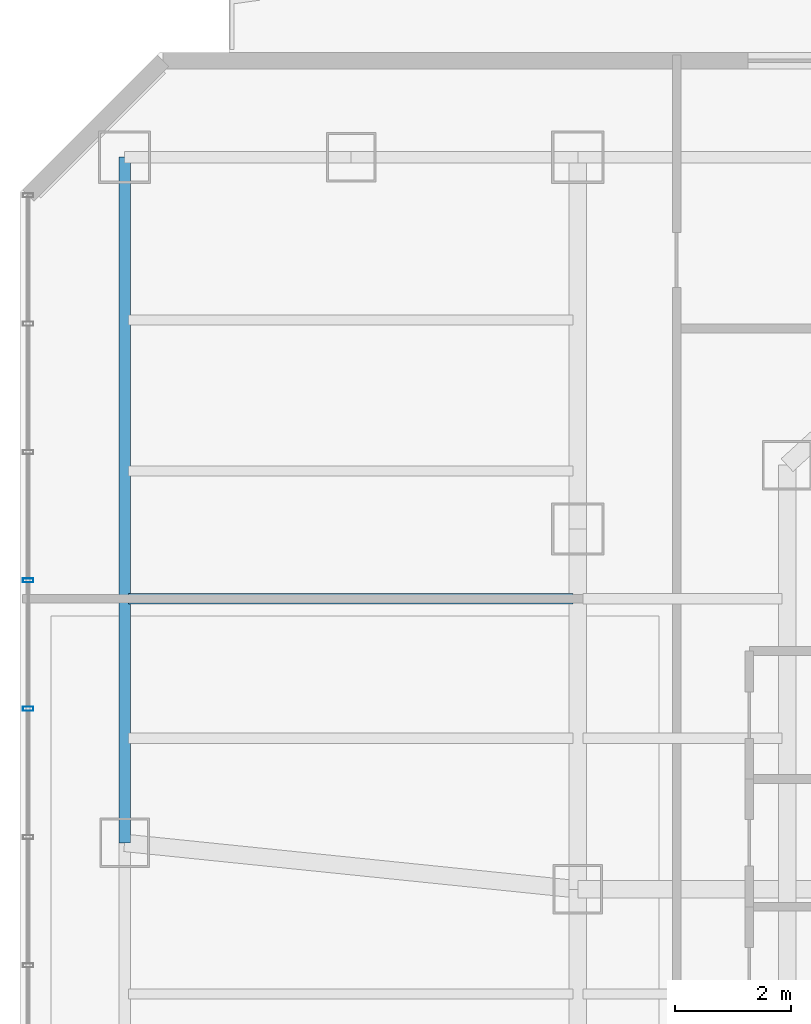
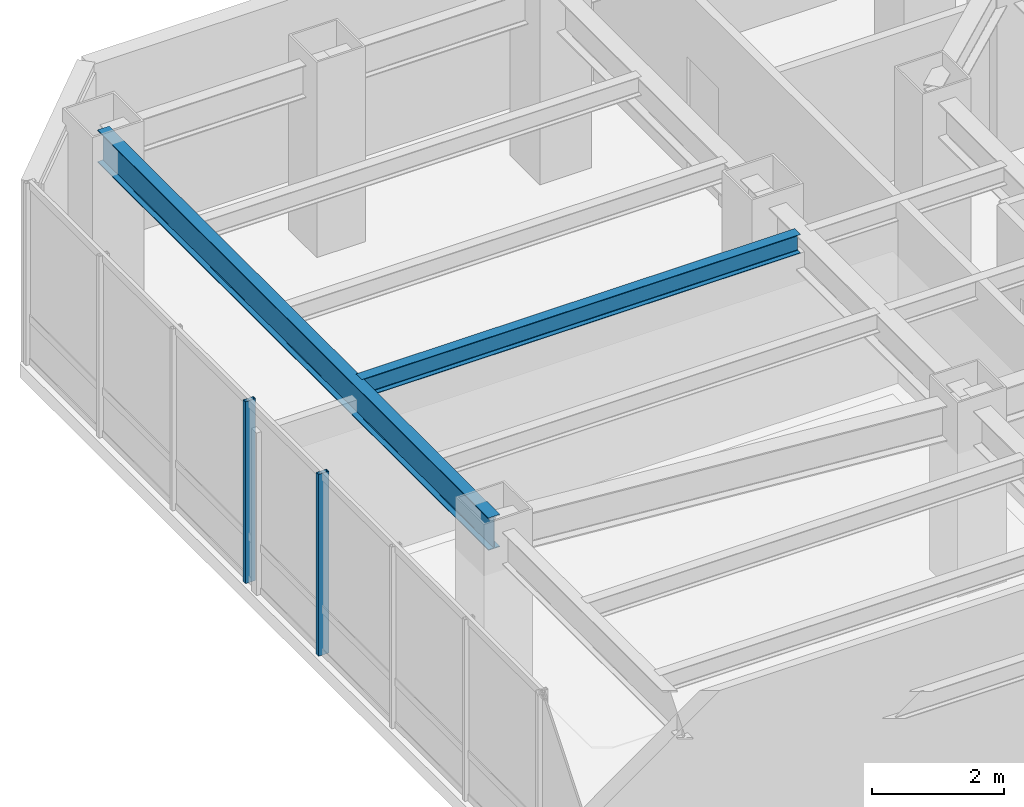
# One storey, part 15 of 29: 2 beams, 2 members, 1 element without a shape of its own.
"""IFC4 building model written with IfcOpenShell, lengths in metres."""

import ifcopenshell
import ifcopenshell.guid

model = None  # the IFC model being written
_history = None  # IfcOwnerHistory: only IFC2X3 demands one
_inside = {}  # id of a spatial element -> (the spatial element, [elements in it])
_under = {}  # id of a project, library or spatial element -> (it, [spatial elements below it])
_declared = {}  # id of a project -> (the project, [libraries it declares])
_typed = {}  # id of a type object -> (the type object, [elements of that type])
_made_of = {}  # id of a material, layer set ... -> (it, [elements and type objects made of it])


def new_model(schema):
    """Start an empty IFC model of exactly this schema.

    Asked for "IFC4X3", IfcOpenShell would pick the latest addendum, in which some entities
    have other attributes; the version numbers below select the first issue.
    IFC2X3 requires an IfcOwnerHistory on every rooted entity: one is made here for all.
    """
    global model, _history
    if schema == "IFC4X3":
        model = ifcopenshell.file(schema_version=(4, 3, 0, 0))
    else:
        model = ifcopenshell.file(schema=schema)
    _inside.clear()
    _under.clear()
    _declared.clear()
    _typed.clear()
    _made_of.clear()
    _history = None
    if model.schema == "IFC2X3":
        org = make("IfcOrganization", Name="unknown")
        user = make(
            "IfcPersonAndOrganization",
            ThePerson=make("IfcPerson", FamilyName="unknown"),
            TheOrganization=org,
        )
        app = make(
            "IfcApplication",
            ApplicationDeveloper=org,
            Version="unknown",
            ApplicationFullName="unknown",
            ApplicationIdentifier="unknown",
        )
        _history = make(
            "IfcOwnerHistory",
            OwningUser=user,
            OwningApplication=app,
            ChangeAction="ADDED",
            CreationDate=0,
        )
    return model


def make(cls, **values):
    """One entity of the class cls with the attributes given. An attribute that is None is left unset."""
    return model.create_entity(
        cls, **{name: value for name, value in values.items() if value is not None}
    )


def rooted(cls, **values):
    """An entity with a GlobalId (a new one), such as an element, a storey or a relation."""
    return make(cls, GlobalId=ifcopenshell.guid.new(), OwnerHistory=_history, **values)


def si_unit(unit_type, name, prefix=None):
    """IfcSIUnit, for example si_unit("LENGTHUNIT", "METRE", prefix="MILLI")."""
    return make("IfcSIUnit", UnitType=unit_type, Prefix=prefix, Name=name)


def assignment(units):
    """IfcUnitAssignment: the units of a project."""
    return None if units is None else make("IfcUnitAssignment", Units=units)


def point(xyz):
    """IfcCartesianPoint."""
    return None if xyz is None else make("IfcCartesianPoint", Coordinates=xyz)


def direction(xyz):
    """IfcDirection."""
    return None if xyz is None else make("IfcDirection", DirectionRatios=xyz)


def frame(location, z_axis=None, x_axis=None):
    """IfcAxis2Placement3D, a coordinate frame: its origin and axes. An axis left out is left unset."""
    return make(
        "IfcAxis2Placement3D",
        Location=point(location),
        Axis=direction(z_axis),
        RefDirection=direction(x_axis),
    )


def frame_2d(location, x_axis=None):
    """IfcAxis2Placement2D, a coordinate frame in the plane: its origin and x axis."""
    return make(
        "IfcAxis2Placement2D", Location=point(location), RefDirection=direction(x_axis)
    )


def origin():
    """The frame at (0, 0, 0) with its axes left unset."""
    return frame((0.0, 0.0, 0.0))


def origin_2d():
    """The frame at (0, 0) in the plane with its x axis left unset."""
    return frame_2d((0.0, 0.0))


def place(relative_to, where):
    """IfcLocalPlacement: puts the frame where relative to a parent placement (None: the world)."""
    return make(
        "IfcLocalPlacement", PlacementRelTo=relative_to, RelativePlacement=where
    )


def context(
    kind, dimensions, precision=None, world=None, true_north=None, identifier=None
):
    """IfcGeometricRepresentationContext, for example the 3D "Model" context."""
    return make(
        "IfcGeometricRepresentationContext",
        ContextIdentifier=identifier,
        ContextType=kind,
        CoordinateSpaceDimension=dimensions,
        Precision=precision,
        WorldCoordinateSystem=world,
        TrueNorth=true_north,
    )


def subcontext(parent, identifier, kind, view, scale=None):
    """IfcGeometricRepresentationSubContext, for example "Body" below "Model"."""
    return make(
        "IfcGeometricRepresentationSubContext",
        ContextIdentifier=identifier,
        ContextType=kind,
        ParentContext=parent,
        TargetScale=scale,
        TargetView=view,
    )


def project(units=None, contexts=None):
    """IfcProject with its units and contexts."""
    return rooted(
        "IfcProject",
        Name="project",
        RepresentationContexts=contexts,
        UnitsInContext=assignment(units),
    )


def spatial(cls, under=None, at=None, **own):
    """A site, building, storey or space (cls), placed at a placement, below another one or the project."""
    s = rooted(cls, ObjectPlacement=at, **own)
    if under is not None:
        _under.setdefault(under.id(), (under, []))[1].append(s)
    return s


def profile(cls, at=None, kind="AREA", **sizes):
    """A parametric profile (cls). Its sizes go by their IFC names, for example OverallWidth=200.0."""
    return make(cls, ProfileType=kind, Position=at, **sizes)


def hollow_rectangle(**sizes):
    """IfcRectangleHollowProfileDef."""
    return profile("IfcRectangleHollowProfileDef", **sizes)


def i_section(**sizes):
    """IfcIShapeProfileDef."""
    return profile("IfcIShapeProfileDef", **sizes)


def extrude(swept, where, along, depth):
    """IfcExtrudedAreaSolid: the profile swept, set in the frame where, extruded along a direction by depth."""
    return make(
        "IfcExtrudedAreaSolid",
        SweptArea=swept,
        Position=where,
        ExtrudedDirection=direction(along),
        Depth=depth,
    )


def shape(context_of_items, identifier, shape_type, items):
    """IfcShapeRepresentation: the items that make up one representation, for example the "Body"."""
    return make(
        "IfcShapeRepresentation",
        ContextOfItems=context_of_items,
        RepresentationIdentifier=identifier,
        RepresentationType=shape_type,
        Items=items,
    )


def material(Name=None, Category=None):
    """IfcMaterial."""
    return make("IfcMaterial", Name=Name, Category=Category)


def layer(
    of_material, thickness, ventilated=None, Name=None, Category=None, Priority=None
):
    """IfcMaterialLayer: one layer of a wall or slab, of a material (None: an air gap)."""
    return make(
        "IfcMaterialLayer",
        Material=of_material,
        LayerThickness=thickness,
        IsVentilated=ventilated,
        Name=Name,
        Category=Category,
        Priority=Priority,
    )


def layer_set(layers, Name=None):
    """IfcMaterialLayerSet."""
    return make("IfcMaterialLayerSet", MaterialLayers=layers, LayerSetName=Name)


def material_profile(
    of_material, cross_section, Name=None, Category=None, Priority=None
):
    """IfcMaterialProfile: a cross section and its material."""
    return make(
        "IfcMaterialProfile",
        Name=Name,
        Material=of_material,
        Profile=cross_section,
        Priority=Priority,
        Category=Category,
    )


def profile_set(profiles, Name=None, composite=None):
    """IfcMaterialProfileSet."""
    return make(
        "IfcMaterialProfileSet",
        Name=Name,
        MaterialProfiles=profiles,
        CompositeProfile=composite,
    )


def made_of(thing, what):
    """Note that an element or type object is made of a material, layer set ...; save() writes the relation."""
    if what is not None:
        _made_of.setdefault(what.id(), (what, []))[1].append(thing)
    return thing


def type_object(cls, material=None, **own):
    """A type object (cls), such as IfcWallType, which elements share."""
    return made_of(rooted(cls, **own), material)


def element(
    cls,
    number,
    at=None,
    inside=None,
    cuts=None,
    type_object=None,
    material=None,
    context=None,
    identifier="Body",
    shape_type=None,
    held_by="IfcProductDefinitionShape",
    body=None,
    shapes=None,
    **own,
):
    """One element of the class cls, such as IfcWall. Its Tag is "e" and its number.

    at: its placement. inside: the storey or other place that contains it. cuts: it is an
    opening in that element (IfcRelVoidsElement). A single representation is given by context,
    identifier, shape_type and body (its items); several are given by shapes. held_by: the class
    of the entity that holds the representations. save() writes the other relations.
    """
    e = rooted(cls, Tag="e%d" % number, ObjectPlacement=at, **own)
    if body is not None:
        shapes = [shape(context, identifier, shape_type, body)]
    if shapes is not None:
        e.Representation = make(held_by, Representations=shapes)
    if inside is not None:
        _inside.setdefault(inside.id(), (inside, []))[1].append(e)
    if cuts is not None:
        rooted(
            "IfcRelVoidsElement", RelatingBuildingElement=cuts, RelatedOpeningElement=e
        )
    if type_object is not None:
        _typed.setdefault(type_object.id(), (type_object, []))[1].append(e)
    return made_of(e, material)


def aggregate(whole, parts):
    """IfcRelAggregates: a whole, such as a stair, and the parts it consists of."""
    return rooted("IfcRelAggregates", RelatingObject=whole, RelatedObjects=parts)


def save(model, path):
    """Write the relations noted so far, then the file.

    IfcRelAggregates (storeys below a building ...), IfcRelContainedInSpatialStructure (elements
    in a storey), IfcRelDefinesByType, IfcRelAssociatesMaterial and IfcRelDeclares: one each for
    every whole, place, type object, material and project.
    """
    for whole, parts in _under.values():
        aggregate(whole, parts)
    for where, things in _inside.values():
        rooted(
            "IfcRelContainedInSpatialStructure",
            RelatedElements=things,
            RelatingStructure=where,
        )
    for kind, things in _typed.values():
        rooted("IfcRelDefinesByType", RelatedObjects=things, RelatingType=kind)
    for what, things in _made_of.values():
        rooted("IfcRelAssociatesMaterial", RelatedObjects=things, RelatingMaterial=what)
    for by, libraries in _declared.values():
        rooted("IfcRelDeclares", RelatingContext=by, RelatedDefinitions=libraries)
    model.write(path)


model = new_model("IFC4")

# Units and contexts
model_context = context("Model", 3, precision=1e-05, world=origin(), true_north=direction((0.0, 1.0)))
body_context = subcontext(model_context, "Body", "Model", "MODEL_VIEW")
ifc_project = project(units=[si_unit("LENGTHUNIT", "METRE"), si_unit("AREAUNIT", "SQUARE_METRE"), si_unit("VOLUMEUNIT", "CUBIC_METRE"), si_unit("PLANEANGLEUNIT", "RADIAN"), si_unit("MASSUNIT", "GRAM", prefix="KILO")], contexts=[model_context])

# Site, building, storey
site_placement = place(None, origin())
site = spatial("IfcSite", under=ifc_project, at=site_placement, CompositionType="ELEMENT")
building_placement = place(site_placement, origin())
building = spatial("IfcBuilding", under=site, at=building_placement, Name="Hatsunagi Terrace Concourse", CompositionType="ELEMENT")
storey_placement = place(building_placement, frame((0.0, 0.0, 108.449951171875)))
storey = spatial("IfcBuildingStorey", under=building, at=storey_placement, Name="L28", CompositionType="ELEMENT", Elevation=108.449951171875)

# Curtain wall, members
ifc_material_1 = material(Name="Anodised Aluminium Alloy 6063-T5", Category="aluminium")
ifc_layer = layer(ifc_material_1, 0.199951171875)
ifc_layer_set = layer_set([ifc_layer], Name="OfficeZone1_CW03")
curtain_wall_type = type_object("IfcCurtainWallType", Name="OfficeZone1_CW03", PredefinedType="NOTDEFINED", material=ifc_layer_set)
curtain_wall_placement = place(storey_placement, origin())
curtain_wall = element("IfcCurtainWall", 1, at=curtain_wall_placement, inside=storey, type_object=curtain_wall_type, Name="Unitised Curtain Wall CW-03 CW-L28-09", PredefinedType="NOTDEFINED")
ifc_material_2 = material(Name="Anodised Aluminium Alloy 6063-T5", Category="aluminium")
ifc_material_profile_1 = material_profile(ifc_material_2, hollow_rectangle(XDim=0.070068359375, YDim=0.179931640625, WallThickness=0.00390625, at=origin_2d()), Name="ALU-MUL-180x70x4")
ifc_profile_set_1 = profile_set([ifc_material_profile_1], Name="Anodised Aluminium Alloy 6063-T5")
member_type = type_object("IfcMemberType", Name="CurtainWallMullion_180x70", PredefinedType="MULLION", material=ifc_profile_set_1)
member_1_placement = place(storey_placement, frame((9.739990234375, 39.10791015625, 0.0), z_axis=(0.0, 0.0, 1.0), x_axis=(0.0, 1.0, 0.0)))
member_1 = element("IfcMember", 2, at=member_1_placement, type_object=member_type, Name="Curtain Wall Mullion MUL-02", PredefinedType="MULLION", context=body_context, shape_type="SweptSolid", body=[
    extrude(hollow_rectangle(XDim=0.070068359375, YDim=0.179931640625, WallThickness=0.00390625, at=origin_2d()), origin(), (0.0, 0.0, 1.0), 3.35009765625),
])
member_2_placement = place(storey_placement, frame((9.739990234375, 41.31689453125, 0.0), z_axis=(0.0, 0.0, 1.0), x_axis=(0.0, 1.0, 0.0)))
member_2 = element("IfcMember", 3, at=member_2_placement, type_object=member_type, Name="Curtain Wall Mullion MUL-02", PredefinedType="MULLION", context=body_context, shape_type="SweptSolid", body=[
    extrude(hollow_rectangle(XDim=0.070068359375, YDim=0.179931640625, WallThickness=0.00390625, at=origin_2d()), origin(), (0.0, 0.0, 1.0), 3.35009765625),
])
aggregate(curtain_wall, [member_1, member_2])

# Beams
ifc_material_3 = material(Name="Steel SN490B", Category="steel")
ifc_material_profile_2 = material_profile(ifc_material_3, i_section(OverallWidth=0.175048828125, OverallDepth=0.35009765625, WebThickness=0.007080078125, FlangeThickness=0.010986328125, FilletRadius=0.012939453125, at=origin_2d()), Name="H-350x175x7x11")
ifc_profile_set_2 = profile_set([ifc_material_profile_2], Name="Steel SN490B")
beam_type_1 = type_object("IfcBeamType", Name="HotelJoist_H_350x175", PredefinedType="JOIST", material=ifc_profile_set_2)
beam_1_placement = place(storey_placement, frame((11.465087890625, 41.0, 3.175048828125), z_axis=(1.0, 0.0, 0.0), x_axis=(0.0, 1.0, 0.0)))
element("IfcBeam", 4, at=beam_1_placement, inside=storey, type_object=beam_type_1, Name="Beam J-02 J-L28-W-11-410", PredefinedType="JOIST", context=body_context, shape_type="SweptSolid", body=[
    extrude(i_section(OverallWidth=0.175048828125, OverallDepth=0.35009765625, WebThickness=0.007080078125, FlangeThickness=0.010986328125, FilletRadius=0.012939453125, at=origin_2d()), origin(), (0.0, 0.0, 1.0), 7.64990234375),
])
ifc_material_4 = material(Name="Steel SN490B", Category="steel")
ifc_material_profile_3 = material_profile(ifc_material_4, i_section(OverallWidth=0.199951171875, OverallDepth=0.60009765625, WebThickness=0.010986328125, FlangeThickness=0.01708984375, FilletRadius=0.01806640625, at=origin_2d()), Name="H-600x200x11x17")
ifc_profile_set_3 = profile_set([ifc_material_profile_3], Name="Steel SN490B")
beam_type_2 = type_object("IfcBeamType", Name="PerimeterSpandrel_H_600x200", PredefinedType="SPANDREL", material=ifc_profile_set_3)
beam_2_placement = place(storey_placement, frame((11.39990234375, 36.800048828125, 3.050048828125), z_axis=(0.0, 1.0, 0.0), x_axis=(-1.0, 0.0, 0.0)))
element("IfcBeam", 5, at=beam_2_placement, inside=storey, type_object=beam_type_2, Name="Beam SP-01 BM-L28-NS-11-36", PredefinedType="SPANDREL", context=body_context, shape_type="SweptSolid", body=[
    extrude(i_section(OverallWidth=0.199951171875, OverallDepth=0.60009765625, WebThickness=0.010986328125, FlangeThickness=0.01708984375, FilletRadius=0.01806640625, at=origin_2d()), origin(), (0.0, 0.0, 1.0), 11.800048828125),
])

save(model, "model.ifc")
